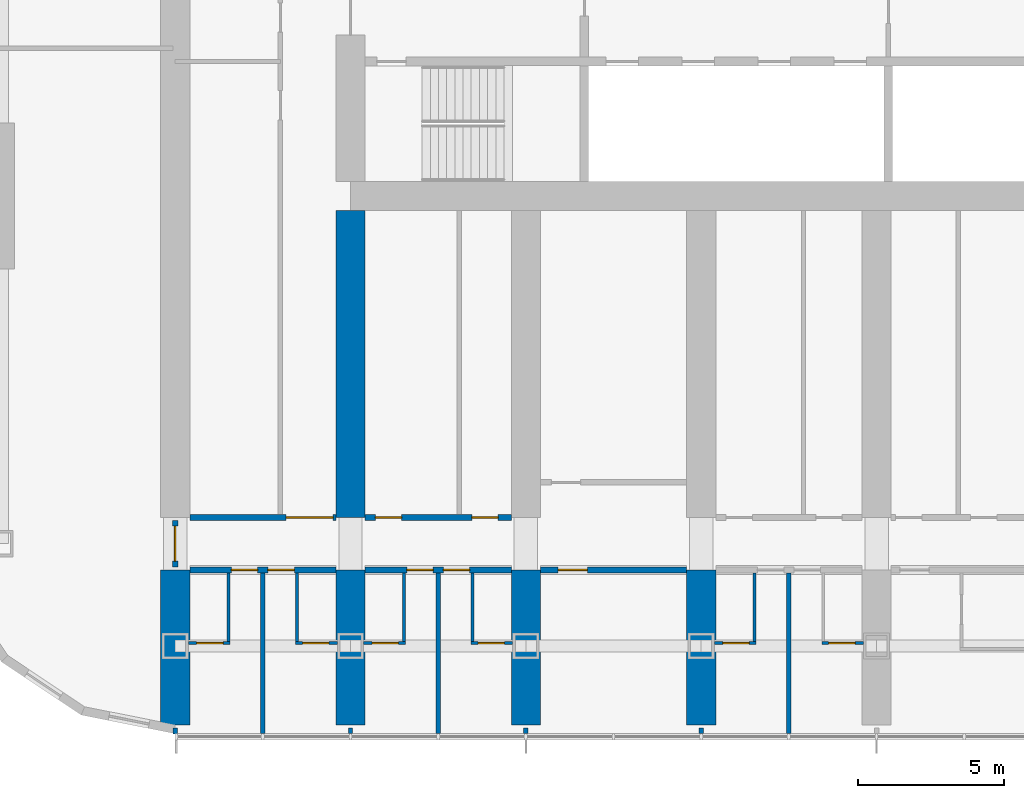
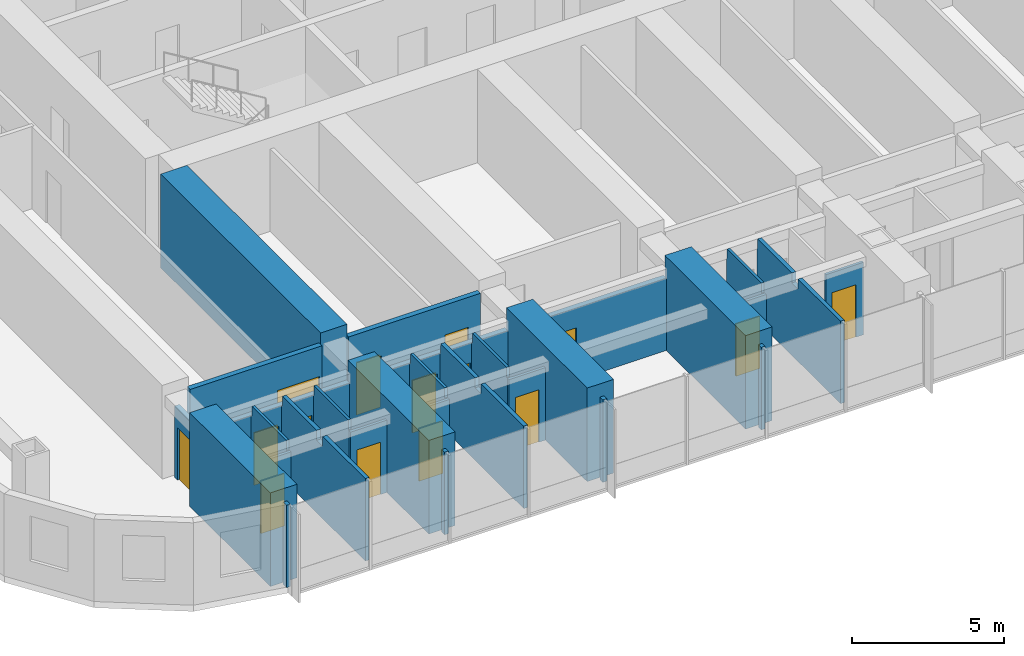
# One storey, part 10 of 24: 29 walls, 15 doors, 15 openings.
"""IFC4 building model written with IfcOpenShell, lengths in metres."""

from ifc_helpers import new_model, si_unit, direction, frame, frame_2d, origin, place, context, subcontext, project, spatial, polyline, rectangle, outline, extrude, material, layer, layer_set, type_object, element, fill, save


model = new_model("IFC4")

# Units and contexts
model_context = context("Model", 3, precision=1e-05, world=origin(), true_north=direction((0.0, 1.0)))
body_context = subcontext(model_context, "Body", "Model", "MODEL_VIEW")
ifc_project = project(units=[si_unit("LENGTHUNIT", "METRE"), si_unit("AREAUNIT", "SQUARE_METRE"), si_unit("VOLUMEUNIT", "CUBIC_METRE"), si_unit("PLANEANGLEUNIT", "RADIAN"), si_unit("MASSUNIT", "GRAM", prefix="KILO")], contexts=[model_context])

# Site, building, storey
site_placement = place(None, origin())
site = spatial("IfcSite", under=ifc_project, at=site_placement, CompositionType="ELEMENT")
building_placement = place(site_placement, origin())
building = spatial("IfcBuilding", under=site, at=building_placement, Name="Orbita Commons", CompositionType="ELEMENT")
storey_placement = place(building_placement, frame((0.0, 0.0, 20.199951171875)))
storey = spatial("IfcBuildingStorey", under=building, at=storey_placement, Name="L04", CompositionType="ELEMENT", Elevation=20.199951171875)

# Wall, openings, doors
ifc_material_1 = material(Name="Concrete blockwork", Category="masonry")
ifc_layer_1 = layer(ifc_material_1, 0.199951171875)
ifc_layer_set_1 = layer_set([ifc_layer_1], Name="Concrete blockwork")
wall_type_1 = type_object("IfcWallType", Name="Corridor wall 200 blockwork", PredefinedType="SOLIDWALL", material=ifc_layer_set_1)
wall_1_placement = place(storey_placement, frame((12.5, 13.0, 0.0), z_axis=(0.0, 0.0, 1.0), x_axis=(1.0, 0.0, 0.0)))
wall_1 = element("IfcWall", 1, at=wall_1_placement, inside=storey, type_object=wall_type_1, Name="Corridor wall 200 blockwork L04", PredefinedType="SOLIDWALL", context=body_context, shape_type="SweptSolid", body=[
    extrude(outline(polyline([(0.0, 0.0), (5.0, 0.0), (5.0, 2.900146484375), (0.0, 2.900146484375), (0.0, 0.0)])), frame((0.0, 0.10009765625, 0.0), z_axis=(0.0, -1.0, 0.0), x_axis=(1.0, 0.0, 0.0)), (0.0, 0.0, 1.0), 0.199951171875),
])
opening_1_placement = place(wall_1_placement, frame((1.425048828125, 0.0, 0.0)))
opening_1 = element("IfcOpeningElement", 2, at=opening_1_placement, cuts=wall_1, Name="Opening D11", PredefinedType="OPENING", context=body_context, shape_type="SweptSolid", body=[
    extrude(rectangle(XDim=0.89990234375, YDim=2.10009765625, at=frame_2d((0.449951171875, 1.050048828125))), frame((0.0, 0.10986328125, 0.0), z_axis=(0.0, -1.0, 0.0), x_axis=(1.0, 0.0, 0.0)), (0.0, 0.0, 1.0), 0.219970703125),
])
opening_2_placement = place(wall_1_placement, frame((2.675048828125, 0.0, 0.0)))
opening_2 = element("IfcOpeningElement", 3, at=opening_2_placement, cuts=wall_1, Name="Opening D11", PredefinedType="OPENING", context=body_context, shape_type="SweptSolid", body=[
    extrude(rectangle(XDim=0.89990234375, YDim=2.10009765625, at=frame_2d((0.449951171875, 1.050048828125))), frame((0.0, 0.10986328125, 0.0), z_axis=(0.0, -1.0, 0.0), x_axis=(1.0, 0.0, 0.0)), (0.0, 0.0, 1.0), 0.219970703125),
])
ifc_material_2 = material(Name="Steel-faced fire door leaf", Category="steel")
door_type_1 = type_object("IfcDoorType", Name="Corridor door 20 min 900x2100", OperationType="SINGLE_SWING_LEFT", PredefinedType="DOOR", material=ifc_material_2)
door_1_placement = place(opening_1_placement, origin())
door_1 = element("IfcDoor", 4, at=door_1_placement, inside=storey, type_object=door_type_1, Name="House bedroom L04-S00 door", OperationType="SINGLE_SWING_LEFT", OverallHeight=2.10009765625, OverallWidth=0.89990234375, PredefinedType="DOOR", context=body_context, shape_type="SweptSolid", body=[
    extrude(rectangle(XDim=0.89990234375, YDim=2.10009765625, at=frame_2d((0.449951171875, 1.050048828125))), frame((0.0, 0.02490234375, 0.0), z_axis=(0.0, -1.0, 0.0), x_axis=(1.0, 0.0, 0.0)), (0.0, 0.0, 1.0), 0.050048828125),
])
fill(opening_1, door_1)
door_2_placement = place(opening_2_placement, origin())
door_2 = element("IfcDoor", 5, at=door_2_placement, inside=storey, type_object=door_type_1, Name="House bedroom L04-S01 door", OperationType="SINGLE_SWING_LEFT", OverallHeight=2.10009765625, OverallWidth=0.89990234375, PredefinedType="DOOR", context=body_context, shape_type="SweptSolid", body=[
    extrude(rectangle(XDim=0.89990234375, YDim=2.10009765625, at=frame_2d((0.449951171875, 1.050048828125))), frame((0.0, 0.02490234375, 0.0), z_axis=(0.0, -1.0, 0.0), x_axis=(1.0, 0.0, 0.0)), (0.0, 0.0, 1.0), 0.050048828125),
])
fill(opening_2, door_2)

wall_2_placement = place(storey_placement, frame((18.5, 13.0, 0.0), z_axis=(0.0, 0.0, 1.0), x_axis=(1.0, 0.0, 0.0)))
wall_2 = element("IfcWall", 6, at=wall_2_placement, inside=storey, type_object=wall_type_1, Name="Corridor wall 200 blockwork L04", PredefinedType="SOLIDWALL", context=body_context, shape_type="SweptSolid", body=[
    extrude(outline(polyline([(0.0, 0.0), (5.0, 0.0), (5.0, 2.900146484375), (0.0, 2.900146484375), (0.0, 0.0)])), frame((0.0, 0.10009765625, 0.0), z_axis=(0.0, -1.0, 0.0), x_axis=(1.0, 0.0, 0.0)), (0.0, 0.0, 1.0), 0.199951171875),
])
opening_3_placement = place(wall_2_placement, frame((1.425048828125, 0.0, 0.0)))
opening_3 = element("IfcOpeningElement", 7, at=opening_3_placement, cuts=wall_2, Name="Opening D11", PredefinedType="OPENING", context=body_context, shape_type="SweptSolid", body=[
    extrude(rectangle(XDim=0.89990234375, YDim=2.10009765625, at=frame_2d((0.449951171875, 1.050048828125))), frame((0.0, 0.10986328125, 0.0), z_axis=(0.0, -1.0, 0.0), x_axis=(1.0, 0.0, 0.0)), (0.0, 0.0, 1.0), 0.219970703125),
])
opening_4_placement = place(wall_2_placement, frame((2.675048828125, 0.0, 0.0)))
opening_4 = element("IfcOpeningElement", 8, at=opening_4_placement, cuts=wall_2, Name="Opening D11", PredefinedType="OPENING", context=body_context, shape_type="SweptSolid", body=[
    extrude(rectangle(XDim=0.89990234375, YDim=2.10009765625, at=frame_2d((0.449951171875, 1.050048828125))), frame((0.0, 0.10986328125, 0.0), z_axis=(0.0, -1.0, 0.0), x_axis=(1.0, 0.0, 0.0)), (0.0, 0.0, 1.0), 0.219970703125),
])
door_3_placement = place(opening_3_placement, origin())
door_3 = element("IfcDoor", 9, at=door_3_placement, inside=storey, type_object=door_type_1, Name="House bedroom L04-S02 door", OperationType="SINGLE_SWING_LEFT", OverallHeight=2.10009765625, OverallWidth=0.89990234375, PredefinedType="DOOR", context=body_context, shape_type="SweptSolid", body=[
    extrude(rectangle(XDim=0.89990234375, YDim=2.10009765625, at=frame_2d((0.449951171875, 1.050048828125))), frame((0.0, 0.02490234375, 0.0), z_axis=(0.0, -1.0, 0.0), x_axis=(1.0, 0.0, 0.0)), (0.0, 0.0, 1.0), 0.050048828125),
])
fill(opening_3, door_3)
door_4_placement = place(opening_4_placement, origin())
door_4 = element("IfcDoor", 10, at=door_4_placement, inside=storey, type_object=door_type_1, Name="House bedroom L04-S03 door", OperationType="SINGLE_SWING_LEFT", OverallHeight=2.10009765625, OverallWidth=0.89990234375, PredefinedType="DOOR", context=body_context, shape_type="SweptSolid", body=[
    extrude(rectangle(XDim=0.89990234375, YDim=2.10009765625, at=frame_2d((0.449951171875, 1.050048828125))), frame((0.0, 0.02490234375, 0.0), z_axis=(0.0, -1.0, 0.0), x_axis=(1.0, 0.0, 0.0)), (0.0, 0.0, 1.0), 0.050048828125),
])
fill(opening_4, door_4)

# Wall, opening, door
wall_3_placement = place(storey_placement, frame((24.5, 13.0, 0.0), z_axis=(0.0, 0.0, 1.0), x_axis=(1.0, 0.0, 0.0)))
wall_3 = element("IfcWall", 11, at=wall_3_placement, inside=storey, type_object=wall_type_1, Name="Corridor wall 200 blockwork L04", PredefinedType="SOLIDWALL", context=body_context, shape_type="SweptSolid", body=[
    extrude(outline(polyline([(0.0, 0.0), (5.0, 0.0), (5.0, 2.900146484375), (0.0, 2.900146484375), (0.0, 0.0)])), frame((0.0, 0.10009765625, 0.0), z_axis=(0.0, -1.0, 0.0), x_axis=(1.0, 0.0, 0.0)), (0.0, 0.0, 1.0), 0.199951171875),
])
opening_5_placement = place(wall_3_placement, frame((0.60009765625, 0.0, 0.0)))
opening_5 = element("IfcOpeningElement", 12, at=opening_5_placement, cuts=wall_3, Name="Opening D06", PredefinedType="OPENING", context=body_context, shape_type="SweptSolid", body=[
    extrude(rectangle(XDim=1.0, YDim=2.10009765625, at=frame_2d((0.5, 1.050048828125))), frame((0.0, 0.10986328125, 0.0), z_axis=(0.0, -1.0, 0.0), x_axis=(1.0, 0.0, 0.0)), (0.0, 0.0, 1.0), 0.219970703125),
])
ifc_material_3 = material(Name="Steel-faced fire door leaf", Category="steel")
door_type_2 = type_object("IfcDoorType", Name="Corridor door 20 min 1000x2100", OperationType="SINGLE_SWING_LEFT", PredefinedType="DOOR", material=ifc_material_3)
door_5_placement = place(opening_5_placement, origin())
door_5 = element("IfcDoor", 13, at=door_5_placement, inside=storey, type_object=door_type_2, Name="House common room L04-S04 door", OperationType="SINGLE_SWING_LEFT", OverallHeight=2.10009765625, OverallWidth=1.0, PredefinedType="DOOR", context=body_context, shape_type="SweptSolid", body=[
    extrude(rectangle(XDim=1.0, YDim=2.10009765625, at=frame_2d((0.5, 1.050048828125))), frame((0.0, 0.02490234375, 0.0), z_axis=(0.0, -1.0, 0.0), x_axis=(1.0, 0.0, 0.0)), (0.0, 0.0, 1.0), 0.050048828125),
])
fill(opening_5, door_5)

wall_4_placement = place(storey_placement, frame((12.0, 13.10009765625, 0.0), z_axis=(0.0, 0.0, 1.0), x_axis=(0.0, 1.0, 0.0)))
wall_4 = element("IfcWall", 14, at=wall_4_placement, inside=storey, type_object=wall_type_1, Name="Corridor wall 200 blockwork L04", PredefinedType="SOLIDWALL", context=body_context, shape_type="SweptSolid", body=[
    extrude(outline(polyline([(0.0, 0.0), (1.599853515625, 0.0), (1.60009765625, 2.85009765625), (0.0, 2.85009765625), (0.0, 0.0)])), frame((0.0, 0.10009765625, 0.0), z_axis=(0.0, -1.0, 0.0), x_axis=(1.0, 0.0, 0.0)), (0.0, 0.0, 1.0), 0.199951171875),
])
opening_6_placement = place(wall_4_placement, frame((0.199951171875, 0.0, 0.0)))
opening_6 = element("IfcOpeningElement", 15, at=opening_6_placement, cuts=wall_4, Name="Opening D12", PredefinedType="OPENING", context=body_context, shape_type="SweptSolid", body=[
    extrude(rectangle(XDim=1.199951171875, YDim=2.10009765625, at=frame_2d((0.60009765625, 1.050048828125))), frame((0.0, 0.10986328125, 0.0), z_axis=(0.0, -1.0, 0.0), x_axis=(1.0, 0.0, 0.0)), (0.0, 0.0, 1.0), 0.219970703125),
])
ifc_material_4 = material(Name="Steel-faced fire door leaf", Category="steel")
door_type_3 = type_object("IfcDoorType", Name="Double corridor door 20 min 1200x2100", OperationType="DOUBLE_DOOR_SINGLE_SWING", PredefinedType="DOOR", material=ifc_material_4)
door_6_placement = place(opening_6_placement, origin())
door_6 = element("IfcDoor", 16, at=door_6_placement, inside=storey, type_object=door_type_3, Name="Lounge doors", OperationType="DOUBLE_DOOR_SINGLE_SWING", OverallHeight=2.10009765625, OverallWidth=1.199951171875, PredefinedType="DOOR", context=body_context, shape_type="SweptSolid", body=[
    extrude(rectangle(XDim=1.199951171875, YDim=2.10009765625, at=frame_2d((0.60009765625, 1.050048828125))), frame((0.0, 0.02490234375, 0.0), z_axis=(0.0, -1.0, 0.0), x_axis=(1.0, 0.0, 0.0)), (0.0, 0.0, 1.0), 0.050048828125),
])
fill(opening_6, door_6)

ifc_material_5 = material(Name="Hollow concrete block 200", Category="concrete")
ifc_layer_2 = layer(ifc_material_5, 0.199951171875)
ifc_layer_set_2 = layer_set([ifc_layer_2], Name="Hollow concrete block 200")
wall_type_2 = type_object("IfcWallType", Name="Corridor wall 200 hollow concrete block", PredefinedType="SOLIDWALL", material=ifc_layer_set_2)
wall_5_placement = place(storey_placement, frame((12.5, 14.800048828125, 0.0), z_axis=(0.0, 0.0, 1.0), x_axis=(1.0, 0.0, 0.0)))
wall_5 = element("IfcWall", 17, at=wall_5_placement, inside=storey, type_object=wall_type_2, Name="Corridor wall 200 hollow concrete block L04", PredefinedType="SOLIDWALL", context=body_context, shape_type="SweptSolid", body=[
    extrude(rectangle(XDim=5.0, YDim=0.199951171875, at=frame_2d((2.5, 0.0))), origin(), (0.0, 0.0, 1.0), 3.300048828125),
])
opening_7_placement = place(wall_5_placement, frame((3.300048828125, 0.0, 0.0)))
opening_7 = element("IfcOpeningElement", 18, at=opening_7_placement, cuts=wall_5, Name="Opening D10", PredefinedType="OPENING", context=body_context, shape_type="SweptSolid", body=[
    extrude(rectangle(XDim=1.60009765625, YDim=2.10009765625, at=frame_2d((0.800048828125, 1.050048828125))), frame((0.0, 0.10986328125, 0.0), z_axis=(0.0, -1.0, 0.0), x_axis=(1.0, 0.0, 0.0)), (0.0, 0.0, 1.0), 0.219970703125),
])
ifc_material_6 = material(Name="Steel-faced fire door leaf", Category="steel")
door_type_4 = type_object("IfcDoorType", Name="Double corridor door 20 min 1600x2100", OperationType="DOUBLE_DOOR_SINGLE_SWING", PredefinedType="DOOR", material=ifc_material_6)
door_7_placement = place(opening_7_placement, origin())
door_7 = element("IfcDoor", 19, at=door_7_placement, inside=storey, type_object=door_type_4, Name="Cross corridor doors", OperationType="DOUBLE_DOOR_SINGLE_SWING", OverallHeight=2.10009765625, OverallWidth=1.60009765625, PredefinedType="DOOR", context=body_context, shape_type="SweptSolid", body=[
    extrude(rectangle(XDim=1.60009765625, YDim=2.10009765625, at=frame_2d((0.800048828125, 1.050048828125))), frame((0.0, 0.02490234375, 0.0), z_axis=(0.0, -1.0, 0.0), x_axis=(1.0, 0.0, 0.0)), (0.0, 0.0, 1.0), 0.050048828125),
])
fill(opening_7, door_7)

# Wall, openings, doors
wall_6_placement = place(storey_placement, frame((18.5, 14.800048828125, 0.0), z_axis=(0.0, 0.0, 1.0), x_axis=(1.0, 0.0, 0.0)))
wall_6 = element("IfcWall", 20, at=wall_6_placement, inside=storey, type_object=wall_type_2, Name="Corridor wall 200 hollow concrete block L04", PredefinedType="SOLIDWALL", context=body_context, shape_type="SweptSolid", body=[
    extrude(rectangle(XDim=5.0, YDim=0.199951171875, at=frame_2d((2.5, 0.0))), origin(), (0.0, 0.0, 1.0), 3.300048828125),
])
opening_8_placement = place(wall_6_placement, frame((0.35009765625, 0.0, 0.0)))
opening_8 = element("IfcOpeningElement", 21, at=opening_8_placement, cuts=wall_6, Name="Opening D11", PredefinedType="OPENING", context=body_context, shape_type="SweptSolid", body=[
    extrude(rectangle(XDim=0.89990234375, YDim=2.10009765625, at=frame_2d((0.449951171875, 1.050048828125))), frame((0.0, 0.10986328125, 0.0), z_axis=(0.0, -1.0, 0.0), x_axis=(1.0, 0.0, 0.0)), (0.0, 0.0, 1.0), 0.219970703125),
])
opening_9_placement = place(wall_6_placement, frame((3.64990234375, 0.0, 0.0)))
opening_9 = element("IfcOpeningElement", 22, at=opening_9_placement, cuts=wall_6, Name="Opening D11", PredefinedType="OPENING", context=body_context, shape_type="SweptSolid", body=[
    extrude(rectangle(XDim=0.89990234375, YDim=2.10009765625, at=frame_2d((0.449951171875, 1.050048828125))), frame((0.0, 0.10986328125, 0.0), z_axis=(0.0, -1.0, 0.0), x_axis=(1.0, 0.0, 0.0)), (0.0, 0.0, 1.0), 0.219970703125),
])
door_8_placement = place(opening_8_placement, origin())
door_8 = element("IfcDoor", 23, at=door_8_placement, inside=storey, type_object=door_type_1, Name="Group meeting room L04-BDS18 door", OperationType="SINGLE_SWING_LEFT", OverallHeight=2.10009765625, OverallWidth=0.89990234375, PredefinedType="DOOR", context=body_context, shape_type="SweptSolid", body=[
    extrude(rectangle(XDim=0.89990234375, YDim=2.10009765625, at=frame_2d((0.449951171875, 1.050048828125))), frame((0.0, 0.02490234375, 0.0), z_axis=(0.0, -1.0, 0.0), x_axis=(1.0, 0.0, 0.0)), (0.0, 0.0, 1.0), 0.050048828125),
])
fill(opening_8, door_8)
door_9_placement = place(opening_9_placement, origin())
door_9 = element("IfcDoor", 24, at=door_9_placement, inside=storey, type_object=door_type_1, Name="Accessible WC and shower room L04-BDS18n door", OperationType="SINGLE_SWING_LEFT", OverallHeight=2.10009765625, OverallWidth=0.89990234375, PredefinedType="DOOR", context=body_context, shape_type="SweptSolid", body=[
    extrude(rectangle(XDim=0.89990234375, YDim=2.10009765625, at=frame_2d((0.449951171875, 1.050048828125))), frame((0.0, 0.02490234375, 0.0), z_axis=(0.0, -1.0, 0.0), x_axis=(1.0, 0.0, 0.0)), (0.0, 0.0, 1.0), 0.050048828125),
])
fill(opening_9, door_9)

# Walls
ifc_material_7 = material(Name="Concrete C50/60", Category="concrete")
ifc_layer_3 = layer(ifc_material_7, 1.0)
ifc_layer_set_3 = layer_set([ifc_layer_3], Name="Concrete C50/60")
wall_type_3 = type_object("IfcWallType", Name="Cross wall 1000 C50/60", PredefinedType="SHEAR", material=ifc_layer_set_3)
for number, where, z_axis, x_axis, name in (
    (25, (12.0, 7.699951171875, 0.0), (0.0, 0.0, 1.0), (0.0, 1.0, 0.0), "Cross wall 3 south outer L04"),
    (26, (18.0, 7.699951171875, 0.0), (0.0, 0.0, 1.0), (0.0, 1.0, 0.0), "Cross wall 4 south outer L04"),
):
    element("IfcWall", number, at=place(storey_placement, frame(where, z_axis=z_axis, x_axis=x_axis)), inside=storey, type_object=wall_type_3, Name=name, PredefinedType="SHEAR", context=body_context, shape_type="SweptSolid", body=[
        extrude(rectangle(XDim=5.300048828125, YDim=1.0, at=frame_2d((2.64990234375, 0.0))), origin(), (0.0, 0.0, 1.0), 3.75),
    ])
wall_7_placement = place(storey_placement, frame((18.0, 14.800048828125, 0.0), z_axis=(0.0, 0.0, 1.0), x_axis=(0.0, 1.0, 0.0)))
element("IfcWall", 27, at=wall_7_placement, inside=storey, type_object=wall_type_3, Name="Cross wall 4 south inner L04", PredefinedType="SHEAR", context=body_context, shape_type="SweptSolid", body=[
    extrude(rectangle(XDim=10.5, YDim=1.0, at=frame_2d((5.25, 0.0))), origin(), (0.0, 0.0, 1.0), 3.75),
])
for number, where, z_axis, x_axis, name in (
    (28, (24.0, 7.699951171875, 0.0), (0.0, 0.0, 1.0), (0.0, 1.0, 0.0), "Cross wall 5 south outer L04"),
    (29, (30.0, 7.699951171875, 0.0), (0.0, 0.0, 1.0), (0.0, 1.0, 0.0), "Cross wall 6 south outer L04"),
):
    element("IfcWall", number, at=place(storey_placement, frame(where, z_axis=z_axis, x_axis=x_axis)), inside=storey, type_object=wall_type_3, Name=name, PredefinedType="SHEAR", context=body_context, shape_type="SweptSolid", body=[
        extrude(rectangle(XDim=5.300048828125, YDim=1.0, at=frame_2d((2.64990234375, 0.0))), origin(), (0.0, 0.0, 1.0), 3.75),
    ])

# Wall, opening, door
ifc_material_8 = material(Name="Moisture-resistant plasterboard on steel studs", Category="steel")
ifc_layer_4 = layer(ifc_material_8, 0.10009765625)
ifc_layer_set_4 = layer_set([ifc_layer_4], Name="Moisture-resistant plasterboard on steel studs")
wall_type_4 = type_object("IfcWallType", Name="En-suite partition 100", PredefinedType="PARTITIONING", material=ifc_layer_set_4)
wall_8_placement = place(storey_placement, frame((13.875, 10.5, 0.0), z_axis=(0.0, 0.0, 1.0), x_axis=(-1.0, 0.0, 0.0)))
wall_8 = element("IfcWall", 30, at=wall_8_placement, inside=storey, type_object=wall_type_4, Name="En-suite partition 100 L04", PredefinedType="PARTITIONING", context=body_context, shape_type="SweptSolid", body=[
    extrude(outline(polyline([(0.0, 0.0), (1.425048828125, 0.0), (1.425048828125, 2.900146484375), (0.0, 2.900146484375), (0.0, 0.0)])), frame((0.0, 0.050048828125, 0.0), z_axis=(0.0, -1.0, 0.0), x_axis=(1.0, 0.0, 0.0)), (0.0, 0.0, 1.0), 0.10009765625),
])
opening_10_placement = place(wall_8_placement, frame((0.237548828125, 0.0, 0.0)))
opening_10 = element("IfcOpeningElement", 31, at=opening_10_placement, cuts=wall_8, Name="Opening D09", PredefinedType="OPENING", context=body_context, shape_type="SweptSolid", body=[
    extrude(rectangle(XDim=0.89990234375, YDim=2.10009765625, at=frame_2d((0.449951171875, 1.050048828125))), frame((0.0, 0.06005859375, 0.0), z_axis=(0.0, -1.0, 0.0), x_axis=(1.0, 0.0, 0.0)), (0.0, 0.0, 1.0), 0.1201171875),
])
ifc_material_9 = material(Name="Laminated timber door leaf", Category="wood")
door_type_5 = type_object("IfcDoorType", Name="En-suite door 900x2100", OperationType="SINGLE_SWING_RIGHT", PredefinedType="DOOR", material=ifc_material_9)
door_10_placement = place(opening_10_placement, origin())
door_10 = element("IfcDoor", 32, at=door_10_placement, inside=storey, type_object=door_type_5, Name="En-suite L04-S00 door", OperationType="SINGLE_SWING_RIGHT", OverallHeight=2.10009765625, OverallWidth=0.89990234375, PredefinedType="DOOR", context=body_context, shape_type="SweptSolid", body=[
    extrude(rectangle(XDim=0.89990234375, YDim=2.10009765625, at=frame_2d((0.449951171875, 1.050048828125))), frame((0.0, 0.02490234375, 0.0), z_axis=(0.0, -1.0, 0.0), x_axis=(1.0, 0.0, 0.0)), (0.0, 0.0, 1.0), 0.050048828125),
])
fill(opening_10, door_10)

# Wall
wall_9_placement = place(storey_placement, frame((13.824951171875, 10.550048828125, 0.0), z_axis=(0.0, 0.0, 1.0), x_axis=(0.0, 1.0, 0.0)))
element("IfcWall", 33, at=wall_9_placement, inside=storey, type_object=wall_type_4, Name="En-suite partition 100 L04", PredefinedType="PARTITIONING", context=body_context, shape_type="SweptSolid", body=[
    extrude(outline(polyline([(0.0, 0.0), (2.349853515625, 0.0), (2.35009765625, 2.900146484375), (2.302001953125, 2.900146484375), (2.300048828125, 3.300048828125), (0.052001953125, 3.300048828125), (0.050048828125, 2.900146484375), (0.0, 2.900146484375), (0.0, 0.0)])), frame((0.0, 0.050048828125, 0.0), z_axis=(0.0, -1.0, 0.0), x_axis=(1.0, 0.0, 0.0)), (0.0, 0.0, 1.0), 0.10009765625),
])

# Wall, opening, door
wall_10_placement = place(storey_placement, frame((17.550048828125, 10.5, 0.0), z_axis=(0.0, 0.0, 1.0), x_axis=(-1.0, 0.0, 0.0)))
wall_10 = element("IfcWall", 34, at=wall_10_placement, inside=storey, type_object=wall_type_4, Name="En-suite partition 100 L04", PredefinedType="PARTITIONING", context=body_context, shape_type="SweptSolid", body=[
    extrude(outline(polyline([(0.0, 0.0), (1.425048828125, 0.0), (1.425048828125, 2.900146484375), (0.0, 2.900146484375), (0.0, 0.0)])), frame((0.0, 0.050048828125, 0.0), z_axis=(0.0, -1.0, 0.0), x_axis=(1.0, 0.0, 0.0)), (0.0, 0.0, 1.0), 0.10009765625),
])
opening_11_placement = place(wall_10_placement, frame((0.28759765625, 0.0, 0.0)))
opening_11 = element("IfcOpeningElement", 35, at=opening_11_placement, cuts=wall_10, Name="Opening D09", PredefinedType="OPENING", context=body_context, shape_type="SweptSolid", body=[
    extrude(rectangle(XDim=0.89990234375, YDim=2.10009765625, at=frame_2d((0.449951171875, 1.050048828125))), frame((0.0, 0.06005859375, 0.0), z_axis=(0.0, -1.0, 0.0), x_axis=(1.0, 0.0, 0.0)), (0.0, 0.0, 1.0), 0.1201171875),
])
door_11_placement = place(opening_11_placement, origin())
door_11 = element("IfcDoor", 36, at=door_11_placement, inside=storey, type_object=door_type_5, Name="En-suite L04-S01 door", OperationType="SINGLE_SWING_RIGHT", OverallHeight=2.10009765625, OverallWidth=0.89990234375, PredefinedType="DOOR", context=body_context, shape_type="SweptSolid", body=[
    extrude(rectangle(XDim=0.89990234375, YDim=2.10009765625, at=frame_2d((0.449951171875, 1.050048828125))), frame((0.0, 0.02490234375, 0.0), z_axis=(0.0, -1.0, 0.0), x_axis=(1.0, 0.0, 0.0)), (0.0, 0.0, 1.0), 0.050048828125),
])
fill(opening_11, door_11)

# Wall
wall_11_placement = place(storey_placement, frame((16.175048828125, 10.550048828125, 0.0), z_axis=(0.0, 0.0, 1.0), x_axis=(0.0, 1.0, 0.0)))
element("IfcWall", 37, at=wall_11_placement, inside=storey, type_object=wall_type_4, Name="En-suite partition 100 L04", PredefinedType="PARTITIONING", context=body_context, shape_type="SweptSolid", body=[
    extrude(outline(polyline([(0.0, 0.0), (2.349853515625, 0.0), (2.35009765625, 2.900146484375), (2.302001953125, 2.900146484375), (2.300048828125, 3.300048828125), (0.052001953125, 3.300048828125), (0.050048828125, 2.900146484375), (0.0, 2.900146484375), (0.0, 0.0)])), frame((0.0, 0.050048828125, 0.0), z_axis=(0.0, -1.0, 0.0), x_axis=(1.0, 0.0, 0.0)), (0.0, 0.0, 1.0), 0.10009765625),
])

# Wall, opening, door
wall_12_placement = place(storey_placement, frame((19.875, 10.5, 0.0), z_axis=(0.0, 0.0, 1.0), x_axis=(-1.0, 0.0, 0.0)))
wall_12 = element("IfcWall", 38, at=wall_12_placement, inside=storey, type_object=wall_type_4, Name="En-suite partition 100 L04", PredefinedType="PARTITIONING", context=body_context, shape_type="SweptSolid", body=[
    extrude(outline(polyline([(0.0, 0.0), (1.425048828125, 0.0), (1.425048828125, 2.900146484375), (0.0, 2.900146484375), (0.0, 0.0)])), frame((0.0, 0.050048828125, 0.0), z_axis=(0.0, -1.0, 0.0), x_axis=(1.0, 0.0, 0.0)), (0.0, 0.0, 1.0), 0.10009765625),
])
opening_12_placement = place(wall_12_placement, frame((0.237548828125, 0.0, 0.0)))
opening_12 = element("IfcOpeningElement", 39, at=opening_12_placement, cuts=wall_12, Name="Opening D09", PredefinedType="OPENING", context=body_context, shape_type="SweptSolid", body=[
    extrude(rectangle(XDim=0.89990234375, YDim=2.10009765625, at=frame_2d((0.449951171875, 1.050048828125))), frame((0.0, 0.06005859375, 0.0), z_axis=(0.0, -1.0, 0.0), x_axis=(1.0, 0.0, 0.0)), (0.0, 0.0, 1.0), 0.1201171875),
])
door_12_placement = place(opening_12_placement, origin())
door_12 = element("IfcDoor", 40, at=door_12_placement, inside=storey, type_object=door_type_5, Name="En-suite L04-S02 door", OperationType="SINGLE_SWING_RIGHT", OverallHeight=2.10009765625, OverallWidth=0.89990234375, PredefinedType="DOOR", context=body_context, shape_type="SweptSolid", body=[
    extrude(rectangle(XDim=0.89990234375, YDim=2.10009765625, at=frame_2d((0.449951171875, 1.050048828125))), frame((0.0, 0.02490234375, 0.0), z_axis=(0.0, -1.0, 0.0), x_axis=(1.0, 0.0, 0.0)), (0.0, 0.0, 1.0), 0.050048828125),
])
fill(opening_12, door_12)

# Wall
wall_13_placement = place(storey_placement, frame((19.824951171875, 10.550048828125, 0.0), z_axis=(0.0, 0.0, 1.0), x_axis=(0.0, 1.0, 0.0)))
element("IfcWall", 41, at=wall_13_placement, inside=storey, type_object=wall_type_4, Name="En-suite partition 100 L04", PredefinedType="PARTITIONING", context=body_context, shape_type="SweptSolid", body=[
    extrude(outline(polyline([(0.0, 0.0), (2.349853515625, 0.0), (2.35009765625, 2.900146484375), (2.302001953125, 2.900146484375), (2.300048828125, 3.300048828125), (0.052001953125, 3.300048828125), (0.050048828125, 2.900146484375), (0.0, 2.900146484375), (0.0, 0.0)])), frame((0.0, 0.050048828125, 0.0), z_axis=(0.0, -1.0, 0.0), x_axis=(1.0, 0.0, 0.0)), (0.0, 0.0, 1.0), 0.10009765625),
])

# Wall, opening, door
wall_14_placement = place(storey_placement, frame((23.550048828125, 10.5, 0.0), z_axis=(0.0, 0.0, 1.0), x_axis=(-1.0, 0.0, 0.0)))
wall_14 = element("IfcWall", 42, at=wall_14_placement, inside=storey, type_object=wall_type_4, Name="En-suite partition 100 L04", PredefinedType="PARTITIONING", context=body_context, shape_type="SweptSolid", body=[
    extrude(outline(polyline([(0.0, 0.0), (1.425048828125, 0.0), (1.425048828125, 2.900146484375), (0.0, 2.900146484375), (0.0, 0.0)])), frame((0.0, 0.050048828125, 0.0), z_axis=(0.0, -1.0, 0.0), x_axis=(1.0, 0.0, 0.0)), (0.0, 0.0, 1.0), 0.10009765625),
])
opening_13_placement = place(wall_14_placement, frame((0.28759765625, 0.0, 0.0)))
opening_13 = element("IfcOpeningElement", 43, at=opening_13_placement, cuts=wall_14, Name="Opening D09", PredefinedType="OPENING", context=body_context, shape_type="SweptSolid", body=[
    extrude(rectangle(XDim=0.89990234375, YDim=2.10009765625, at=frame_2d((0.449951171875, 1.050048828125))), frame((0.0, 0.06005859375, 0.0), z_axis=(0.0, -1.0, 0.0), x_axis=(1.0, 0.0, 0.0)), (0.0, 0.0, 1.0), 0.1201171875),
])
door_13_placement = place(opening_13_placement, origin())
door_13 = element("IfcDoor", 44, at=door_13_placement, inside=storey, type_object=door_type_5, Name="En-suite L04-S03 door", OperationType="SINGLE_SWING_RIGHT", OverallHeight=2.10009765625, OverallWidth=0.89990234375, PredefinedType="DOOR", context=body_context, shape_type="SweptSolid", body=[
    extrude(rectangle(XDim=0.89990234375, YDim=2.10009765625, at=frame_2d((0.449951171875, 1.050048828125))), frame((0.0, 0.02490234375, 0.0), z_axis=(0.0, -1.0, 0.0), x_axis=(1.0, 0.0, 0.0)), (0.0, 0.0, 1.0), 0.050048828125),
])
fill(opening_13, door_13)

# Wall
wall_15_placement = place(storey_placement, frame((22.175048828125, 10.550048828125, 0.0), z_axis=(0.0, 0.0, 1.0), x_axis=(0.0, 1.0, 0.0)))
element("IfcWall", 45, at=wall_15_placement, inside=storey, type_object=wall_type_4, Name="En-suite partition 100 L04", PredefinedType="PARTITIONING", context=body_context, shape_type="SweptSolid", body=[
    extrude(outline(polyline([(0.0, 0.0), (2.349853515625, 0.0), (2.35009765625, 2.900146484375), (2.302001953125, 2.900146484375), (2.300048828125, 3.300048828125), (0.052001953125, 3.300048828125), (0.050048828125, 2.900146484375), (0.0, 2.900146484375), (0.0, 0.0)])), frame((0.0, 0.050048828125, 0.0), z_axis=(0.0, -1.0, 0.0), x_axis=(1.0, 0.0, 0.0)), (0.0, 0.0, 1.0), 0.10009765625),
])

# Wall, opening, door
wall_16_placement = place(storey_placement, frame((31.875, 10.5, 0.0), z_axis=(0.0, 0.0, 1.0), x_axis=(-1.0, 0.0, 0.0)))
wall_16 = element("IfcWall", 46, at=wall_16_placement, inside=storey, type_object=wall_type_4, Name="En-suite partition 100 L04", PredefinedType="PARTITIONING", context=body_context, shape_type="SweptSolid", body=[
    extrude(outline(polyline([(0.0, 0.0), (1.425048828125, 0.0), (1.425048828125, 2.900146484375), (0.0, 2.900146484375), (0.0, 0.0)])), frame((0.0, 0.050048828125, 0.0), z_axis=(0.0, -1.0, 0.0), x_axis=(1.0, 0.0, 0.0)), (0.0, 0.0, 1.0), 0.10009765625),
])
opening_14_placement = place(wall_16_placement, frame((0.237548828125, 0.0, 0.0)))
opening_14 = element("IfcOpeningElement", 47, at=opening_14_placement, cuts=wall_16, Name="Opening D09", PredefinedType="OPENING", context=body_context, shape_type="SweptSolid", body=[
    extrude(rectangle(XDim=0.89990234375, YDim=2.10009765625, at=frame_2d((0.449951171875, 1.050048828125))), frame((0.0, 0.06005859375, 0.0), z_axis=(0.0, -1.0, 0.0), x_axis=(1.0, 0.0, 0.0)), (0.0, 0.0, 1.0), 0.1201171875),
])
door_14_placement = place(opening_14_placement, origin())
door_14 = element("IfcDoor", 48, at=door_14_placement, inside=storey, type_object=door_type_5, Name="En-suite L04-S06 door", OperationType="SINGLE_SWING_RIGHT", OverallHeight=2.10009765625, OverallWidth=0.89990234375, PredefinedType="DOOR", context=body_context, shape_type="SweptSolid", body=[
    extrude(rectangle(XDim=0.89990234375, YDim=2.10009765625, at=frame_2d((0.449951171875, 1.050048828125))), frame((0.0, 0.02490234375, 0.0), z_axis=(0.0, -1.0, 0.0), x_axis=(1.0, 0.0, 0.0)), (0.0, 0.0, 1.0), 0.050048828125),
])
fill(opening_14, door_14)

# Wall
wall_17_placement = place(storey_placement, frame((31.824951171875, 10.550048828125, 0.0), z_axis=(0.0, 0.0, 1.0), x_axis=(0.0, 1.0, 0.0)))
element("IfcWall", 49, at=wall_17_placement, inside=storey, type_object=wall_type_4, Name="En-suite partition 100 L04", PredefinedType="PARTITIONING", context=body_context, shape_type="SweptSolid", body=[
    extrude(outline(polyline([(0.0, 0.0), (2.349853515625, 0.0), (2.35009765625, 2.900146484375), (2.302001953125, 2.900146484375), (2.300048828125, 3.300048828125), (0.052001953125, 3.300048828125), (0.050048828125, 2.900146484375), (0.0, 2.900146484375), (0.0, 0.0)])), frame((0.0, 0.050048828125, 0.0), z_axis=(0.0, -1.0, 0.0), x_axis=(1.0, 0.0, 0.0)), (0.0, 0.0, 1.0), 0.10009765625),
])

# Wall, opening, door
wall_18_placement = place(storey_placement, frame((35.550048828125, 10.5, 0.0), z_axis=(0.0, 0.0, 1.0), x_axis=(-1.0, 0.0, 0.0)))
wall_18 = element("IfcWall", 50, at=wall_18_placement, inside=storey, type_object=wall_type_4, Name="En-suite partition 100 L04", PredefinedType="PARTITIONING", context=body_context, shape_type="SweptSolid", body=[
    extrude(outline(polyline([(0.0, 0.0), (1.425048828125, 0.0), (1.425048828125, 2.900146484375), (0.0, 2.900146484375), (0.0, 0.0)])), frame((0.0, 0.050048828125, 0.0), z_axis=(0.0, -1.0, 0.0), x_axis=(1.0, 0.0, 0.0)), (0.0, 0.0, 1.0), 0.10009765625),
])
opening_15_placement = place(wall_18_placement, frame((0.28759765625, 0.0, 0.0)))
opening_15 = element("IfcOpeningElement", 51, at=opening_15_placement, cuts=wall_18, Name="Opening D09", PredefinedType="OPENING", context=body_context, shape_type="SweptSolid", body=[
    extrude(rectangle(XDim=0.89990234375, YDim=2.10009765625, at=frame_2d((0.449951171875, 1.050048828125))), frame((0.0, 0.06005859375, 0.0), z_axis=(0.0, -1.0, 0.0), x_axis=(1.0, 0.0, 0.0)), (0.0, 0.0, 1.0), 0.1201171875),
])
door_15_placement = place(opening_15_placement, origin())
door_15 = element("IfcDoor", 52, at=door_15_placement, inside=storey, type_object=door_type_5, Name="En-suite L04-S07 door", OperationType="SINGLE_SWING_RIGHT", OverallHeight=2.10009765625, OverallWidth=0.89990234375, PredefinedType="DOOR", context=body_context, shape_type="SweptSolid", body=[
    extrude(rectangle(XDim=0.89990234375, YDim=2.10009765625, at=frame_2d((0.449951171875, 1.050048828125))), frame((0.0, 0.02490234375, 0.0), z_axis=(0.0, -1.0, 0.0), x_axis=(1.0, 0.0, 0.0)), (0.0, 0.0, 1.0), 0.050048828125),
])
fill(opening_15, door_15)

# Walls
ifc_material_10 = material(Name="Gypsum plasterboard on steel studs", Category="steel")
ifc_layer_5 = layer(ifc_material_10, 0.14990234375)
ifc_layer_set_5 = layer_set([ifc_layer_5], Name="Gypsum plasterboard on steel studs")
wall_type_5 = type_object("IfcWallType", Name="Partition 150 plasterboard", PredefinedType="PARTITIONING", material=ifc_layer_set_5)
wall_19_placement = place(storey_placement, frame((12.0, 7.60009765625, 0.0), z_axis=(0.0, 0.0, 1.0), x_axis=(0.0, -1.0, 0.0)))
element("IfcWall", 53, at=wall_19_placement, inside=storey, type_object=wall_type_5, Name="Partition 150 plasterboard L04", PredefinedType="PARTITIONING", context=body_context, shape_type="SweptSolid", body=[
    extrude(rectangle(XDim=0.22021484375, YDim=0.14990234375, at=frame_2d((0.110107421875, 0.0))), origin(), (0.0, 0.0, 1.0), 3.300048828125),
])
for number, where, z_axis, x_axis, name in (
    (54, (18.0, 7.60009765625, 0.0), (0.0, 0.0, 1.0), (0.0, -1.0, 0.0), "Partition 150 plasterboard L04"),
    (55, (24.0, 7.60009765625, 0.0), (0.0, 0.0, 1.0), (0.0, -1.0, 0.0), "Partition 150 plasterboard L04"),
    (56, (30.0, 7.60009765625, 0.0), (0.0, 0.0, 1.0), (0.0, -1.0, 0.0), "Partition 150 plasterboard L04"),
):
    element("IfcWall", number, at=place(storey_placement, frame(where, z_axis=z_axis, x_axis=x_axis)), inside=storey, type_object=wall_type_5, Name=name, PredefinedType="PARTITIONING", context=body_context, shape_type="SweptSolid", body=[
        extrude(rectangle(XDim=0.190185546875, YDim=0.14990234375, at=frame_2d((0.09521484375, 0.0))), origin(), (0.0, 0.0, 1.0), 3.300048828125),
    ])
ifc_material_11 = material(Name="Gypsum plasterboard on steel studs", Category="steel")
ifc_layer_6 = layer(ifc_material_11, 0.14990234375)
ifc_layer_set_6 = layer_set([ifc_layer_6], Name="Gypsum plasterboard on steel studs")
wall_type_6 = type_object("IfcWallType", Name="Party wall 150 plasterboard", PredefinedType="PARTITIONING", material=ifc_layer_set_6)
for number, where, z_axis, x_axis, name in (
    (57, (15.0, 7.409912109375, 0.0), (0.0, 0.0, 1.0), (0.0, 1.0, 0.0), "Party wall 150 plasterboard L04"),
    (58, (21.0, 7.409912109375, 0.0), (0.0, 0.0, 1.0), (0.0, 1.0, 0.0), "Party wall 150 plasterboard L04"),
    (59, (33.0, 7.409912109375, 0.0), (0.0, 0.0, 1.0), (0.0, 1.0, 0.0), "Party wall 150 plasterboard L04"),
):
    element("IfcWall", number, at=place(storey_placement, frame(where, z_axis=z_axis, x_axis=x_axis)), inside=storey, type_object=wall_type_6, Name=name, PredefinedType="PARTITIONING", context=body_context, shape_type="SweptSolid", body=[
        extrude(outline(polyline([(0.0, 0.0), (5.489990234375, 0.0), (5.489990234375, 2.900146484375), (5.44189453125, 2.900146484375), (5.43994140625, 3.300048828125), (3.19189453125, 3.300048828125), (3.18994140625, 2.900146484375), (2.7919921875, 2.900146484375), (2.7900390625, 3.300048828125), (0.0, 3.300048828125), (0.0, 0.0)])), frame((0.0, 0.074951171875, 0.0), z_axis=(0.0, -1.0, 0.0), x_axis=(1.0, 0.0, 0.0)), (0.0, 0.0, 1.0), 0.14990234375),
    ])

save(model, "model.ifc")
